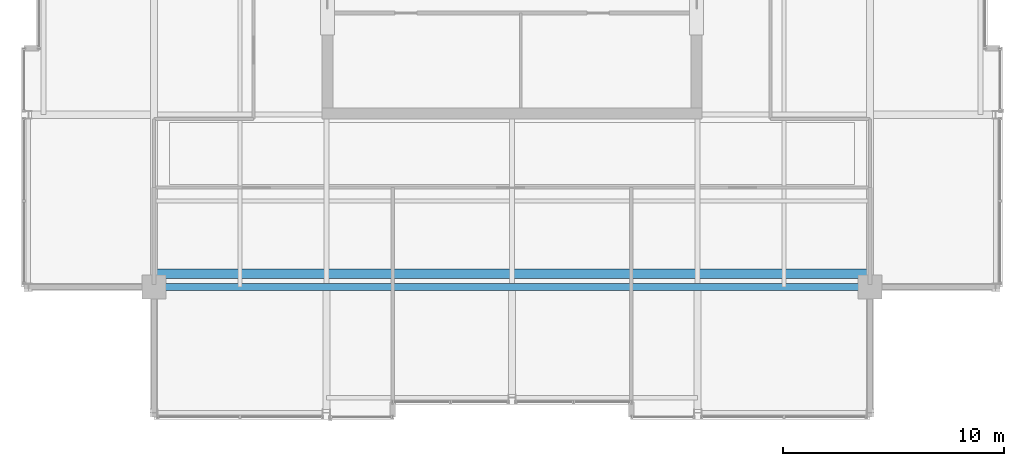
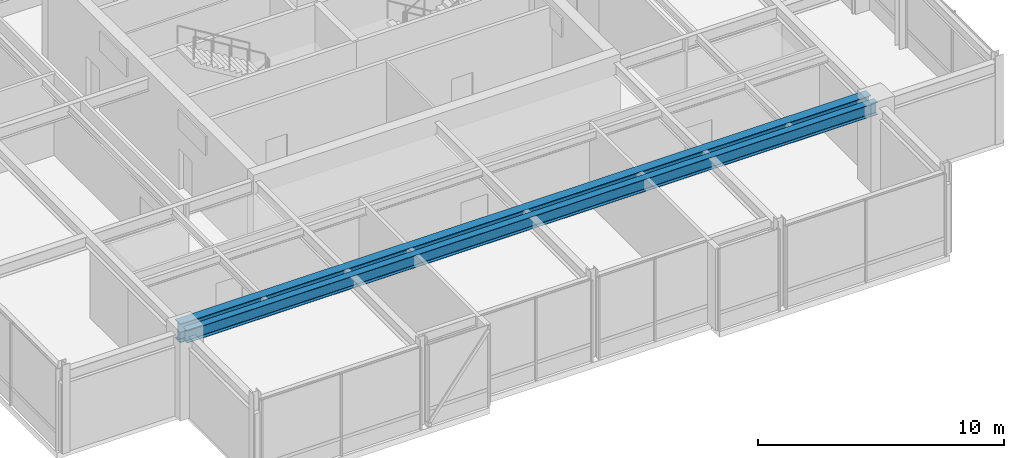
# One storey, part 9 of 33: 2 beams.
"""IFC4 building model written with IfcOpenShell, lengths in metres."""

from ifc_helpers import new_model, si_unit, direction, frame, origin, origin_2d, place, context, subcontext, project, spatial, i_section, extrude, material, material_profile, profile_set, type_object, element, save


model = new_model("IFC4")

# Units and contexts
model_context = context("Model", 3, precision=1e-05, world=origin(), true_north=direction((0.0, 1.0)))
body_context = subcontext(model_context, "Body", "Model", "MODEL_VIEW")
ifc_project = project(units=[si_unit("LENGTHUNIT", "METRE"), si_unit("AREAUNIT", "SQUARE_METRE"), si_unit("VOLUMEUNIT", "CUBIC_METRE"), si_unit("PLANEANGLEUNIT", "RADIAN"), si_unit("MASSUNIT", "GRAM", prefix="KILO")], contexts=[model_context])

# Site, building, storey
site_placement = place(None, origin())
site = spatial("IfcSite", under=ifc_project, at=site_placement, CompositionType="ELEMENT")
building_placement = place(site_placement, origin())
building = spatial("IfcBuilding", under=site, at=building_placement, Name="Drelvath Grand Hotel", CompositionType="ELEMENT")
storey_placement = place(building_placement, frame((0.0, 0.0, 298.60009765625)))
storey = spatial("IfcBuildingStorey", under=building, at=storey_placement, Name="L78", CompositionType="ELEMENT", Elevation=298.60009765625)

# Beams
ifc_material = material(Name="Steel ASTM A992 Gr 50", Category="steel")
ifc_material_profile_1 = material_profile(ifc_material, i_section(OverallWidth=0.323974609375, OverallDepth=0.611083984375, WebThickness=0.0126953125, FlangeThickness=0.01904296875, FilletRadius=0.02197265625, at=origin_2d()), Name="W24X104")
ifc_profile_set_1 = profile_set([ifc_material_profile_1], Name="Steel ASTM A992 Gr 50")
beam_type_1 = type_object("IfcBeamType", Name="Primary Floor Girder W24X104", PredefinedType="BEAM", material=ifc_profile_set_1)
beam_1_placement = place(storey_placement, frame((-16.199951171875, 10.800048828125, 3.744384765625), z_axis=(1.0, 0.0, 0.0), x_axis=(0.0, 1.0, 0.0)))
element("IfcBeam", 1, at=beam_1_placement, inside=storey, type_object=beam_type_1, Name="L78 Mega Ring Girder South", PredefinedType="BEAM", context=body_context, shape_type="SweptSolid", body=[
    extrude(i_section(OverallWidth=0.323974609375, OverallDepth=0.611083984375, WebThickness=0.0126953125, FlangeThickness=0.01904296875, FilletRadius=0.02197265625, at=origin_2d()), origin(), (0.0, 0.0, 1.0), 32.39990234375),
])
ifc_material_profile_2 = material_profile(ifc_material, i_section(OverallWidth=0.418212890625, OverallDepth=0.926513671875, WebThickness=0.019287109375, FlangeThickness=0.031982421875, FilletRadius=0.028076171875, at=origin_2d()), Name="W36X231")
ifc_profile_set_2 = profile_set([ifc_material_profile_2], Name="Steel ASTM A992 Gr 50")
beam_type_2 = type_object("IfcBeamType", Name="Primary Floor Girder W36X231", PredefinedType="BEAM", material=ifc_profile_set_2)
beam_2_placement = place(storey_placement, frame((-16.199951171875, 11.39990234375, 3.586669921875), z_axis=(1.0, 0.0, 0.0), x_axis=(0.0, 1.0, 0.0)))
element("IfcBeam", 2, at=beam_2_placement, inside=storey, type_object=beam_type_2, Name="L78 Wind Turbine Support Girder", PredefinedType="BEAM", context=body_context, shape_type="SweptSolid", body=[
    extrude(i_section(OverallWidth=0.418212890625, OverallDepth=0.926513671875, WebThickness=0.019287109375, FlangeThickness=0.031982421875, FilletRadius=0.028076171875, at=origin_2d()), origin(), (0.0, 0.0, 1.0), 32.39990234375),
])

save(model, "model.ifc")
